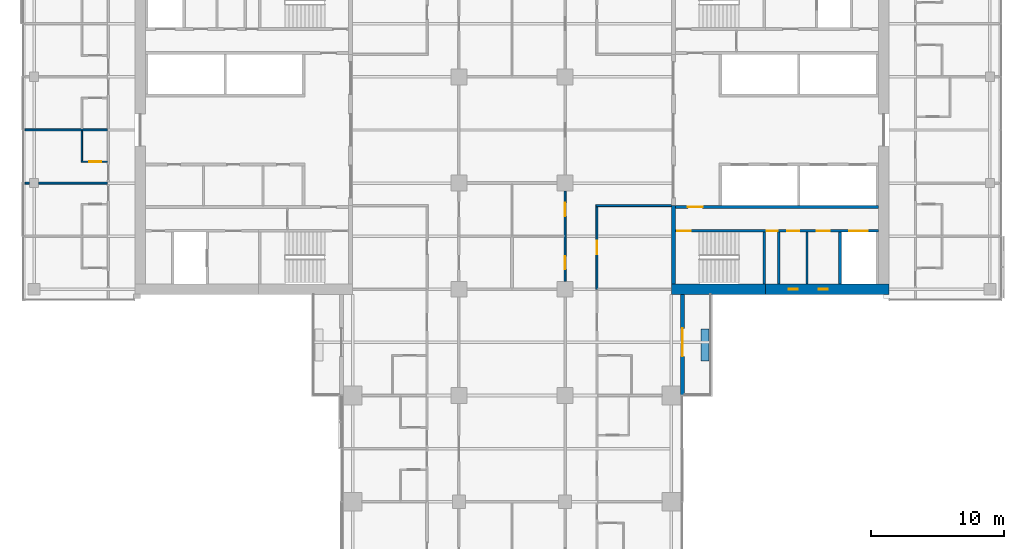
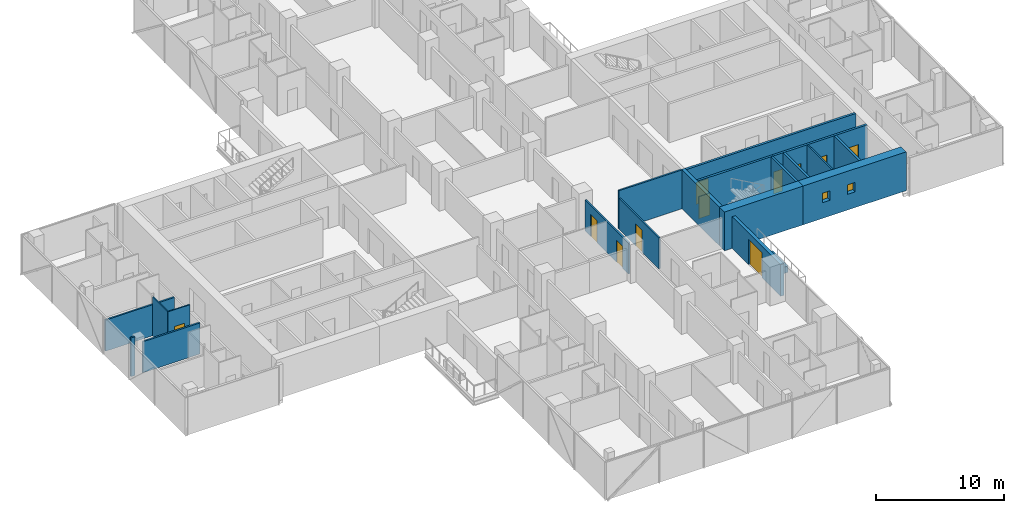
# One storey, part 17 of 27: 20 walls, 11 doors, 2 windows, 13 openings.
"""IFC4 building model written with IfcOpenShell, lengths in metres."""

import ifcopenshell
import ifcopenshell.guid

model = None  # the IFC model being written
_history = None  # IfcOwnerHistory: only IFC2X3 demands one
_inside = {}  # id of a spatial element -> (the spatial element, [elements in it])
_under = {}  # id of a project, library or spatial element -> (it, [spatial elements below it])
_declared = {}  # id of a project -> (the project, [libraries it declares])
_typed = {}  # id of a type object -> (the type object, [elements of that type])
_made_of = {}  # id of a material, layer set ... -> (it, [elements and type objects made of it])


def new_model(schema):
    """Start an empty IFC model of exactly this schema.

    Asked for "IFC4X3", IfcOpenShell would pick the latest addendum, in which some entities
    have other attributes; the version numbers below select the first issue.
    IFC2X3 requires an IfcOwnerHistory on every rooted entity: one is made here for all.
    """
    global model, _history
    if schema == "IFC4X3":
        model = ifcopenshell.file(schema_version=(4, 3, 0, 0))
    else:
        model = ifcopenshell.file(schema=schema)
    _inside.clear()
    _under.clear()
    _declared.clear()
    _typed.clear()
    _made_of.clear()
    _history = None
    if model.schema == "IFC2X3":
        org = make("IfcOrganization", Name="unknown")
        user = make(
            "IfcPersonAndOrganization",
            ThePerson=make("IfcPerson", FamilyName="unknown"),
            TheOrganization=org,
        )
        app = make(
            "IfcApplication",
            ApplicationDeveloper=org,
            Version="unknown",
            ApplicationFullName="unknown",
            ApplicationIdentifier="unknown",
        )
        _history = make(
            "IfcOwnerHistory",
            OwningUser=user,
            OwningApplication=app,
            ChangeAction="ADDED",
            CreationDate=0,
        )
    return model


def make(cls, **values):
    """One entity of the class cls with the attributes given. An attribute that is None is left unset."""
    return model.create_entity(
        cls, **{name: value for name, value in values.items() if value is not None}
    )


def rooted(cls, **values):
    """An entity with a GlobalId (a new one), such as an element, a storey or a relation."""
    return make(cls, GlobalId=ifcopenshell.guid.new(), OwnerHistory=_history, **values)


def si_unit(unit_type, name, prefix=None):
    """IfcSIUnit, for example si_unit("LENGTHUNIT", "METRE", prefix="MILLI")."""
    return make("IfcSIUnit", UnitType=unit_type, Prefix=prefix, Name=name)


def assignment(units):
    """IfcUnitAssignment: the units of a project."""
    return None if units is None else make("IfcUnitAssignment", Units=units)


def point(xyz):
    """IfcCartesianPoint."""
    return None if xyz is None else make("IfcCartesianPoint", Coordinates=xyz)


def direction(xyz):
    """IfcDirection."""
    return None if xyz is None else make("IfcDirection", DirectionRatios=xyz)


def frame(location, z_axis=None, x_axis=None):
    """IfcAxis2Placement3D, a coordinate frame: its origin and axes. An axis left out is left unset."""
    return make(
        "IfcAxis2Placement3D",
        Location=point(location),
        Axis=direction(z_axis),
        RefDirection=direction(x_axis),
    )


def frame_2d(location, x_axis=None):
    """IfcAxis2Placement2D, a coordinate frame in the plane: its origin and x axis."""
    return make(
        "IfcAxis2Placement2D", Location=point(location), RefDirection=direction(x_axis)
    )


def origin():
    """The frame at (0, 0, 0) with its axes left unset."""
    return frame((0.0, 0.0, 0.0))


def place(relative_to, where):
    """IfcLocalPlacement: puts the frame where relative to a parent placement (None: the world)."""
    return make(
        "IfcLocalPlacement", PlacementRelTo=relative_to, RelativePlacement=where
    )


def context(
    kind, dimensions, precision=None, world=None, true_north=None, identifier=None
):
    """IfcGeometricRepresentationContext, for example the 3D "Model" context."""
    return make(
        "IfcGeometricRepresentationContext",
        ContextIdentifier=identifier,
        ContextType=kind,
        CoordinateSpaceDimension=dimensions,
        Precision=precision,
        WorldCoordinateSystem=world,
        TrueNorth=true_north,
    )


def subcontext(parent, identifier, kind, view, scale=None):
    """IfcGeometricRepresentationSubContext, for example "Body" below "Model"."""
    return make(
        "IfcGeometricRepresentationSubContext",
        ContextIdentifier=identifier,
        ContextType=kind,
        ParentContext=parent,
        TargetScale=scale,
        TargetView=view,
    )


def project(units=None, contexts=None):
    """IfcProject with its units and contexts."""
    return rooted(
        "IfcProject",
        Name="project",
        RepresentationContexts=contexts,
        UnitsInContext=assignment(units),
    )


def spatial(cls, under=None, at=None, **own):
    """A site, building, storey or space (cls), placed at a placement, below another one or the project."""
    s = rooted(cls, ObjectPlacement=at, **own)
    if under is not None:
        _under.setdefault(under.id(), (under, []))[1].append(s)
    return s


def profile(cls, at=None, kind="AREA", **sizes):
    """A parametric profile (cls). Its sizes go by their IFC names, for example OverallWidth=200.0."""
    return make(cls, ProfileType=kind, Position=at, **sizes)


def rectangle(**sizes):
    """IfcRectangleProfileDef."""
    return profile("IfcRectangleProfileDef", **sizes)


def extrude(swept, where, along, depth):
    """IfcExtrudedAreaSolid: the profile swept, set in the frame where, extruded along a direction by depth."""
    return make(
        "IfcExtrudedAreaSolid",
        SweptArea=swept,
        Position=where,
        ExtrudedDirection=direction(along),
        Depth=depth,
    )


def shape(context_of_items, identifier, shape_type, items):
    """IfcShapeRepresentation: the items that make up one representation, for example the "Body"."""
    return make(
        "IfcShapeRepresentation",
        ContextOfItems=context_of_items,
        RepresentationIdentifier=identifier,
        RepresentationType=shape_type,
        Items=items,
    )


def material(Name=None, Category=None):
    """IfcMaterial."""
    return make("IfcMaterial", Name=Name, Category=Category)


def layer(
    of_material, thickness, ventilated=None, Name=None, Category=None, Priority=None
):
    """IfcMaterialLayer: one layer of a wall or slab, of a material (None: an air gap)."""
    return make(
        "IfcMaterialLayer",
        Material=of_material,
        LayerThickness=thickness,
        IsVentilated=ventilated,
        Name=Name,
        Category=Category,
        Priority=Priority,
    )


def layer_set(layers, Name=None):
    """IfcMaterialLayerSet."""
    return make("IfcMaterialLayerSet", MaterialLayers=layers, LayerSetName=Name)


def constituent(of_material, Name=None, Category=None, fraction=None):
    """IfcMaterialConstituent: one of the materials an element consists of."""
    return make(
        "IfcMaterialConstituent",
        Name=Name,
        Material=of_material,
        Fraction=fraction,
        Category=Category,
    )


def constituent_set(constituents=None, Name=None):
    """IfcMaterialConstituentSet."""
    return make(
        "IfcMaterialConstituentSet", Name=Name, MaterialConstituents=constituents
    )


def made_of(thing, what):
    """Note that an element or type object is made of a material, layer set ...; save() writes the relation."""
    if what is not None:
        _made_of.setdefault(what.id(), (what, []))[1].append(thing)
    return thing


def type_object(cls, material=None, **own):
    """A type object (cls), such as IfcWallType, which elements share."""
    return made_of(rooted(cls, **own), material)


def element(
    cls,
    number,
    at=None,
    inside=None,
    cuts=None,
    type_object=None,
    material=None,
    context=None,
    identifier="Body",
    shape_type=None,
    held_by="IfcProductDefinitionShape",
    body=None,
    shapes=None,
    **own,
):
    """One element of the class cls, such as IfcWall. Its Tag is "e" and its number.

    at: its placement. inside: the storey or other place that contains it. cuts: it is an
    opening in that element (IfcRelVoidsElement). A single representation is given by context,
    identifier, shape_type and body (its items); several are given by shapes. held_by: the class
    of the entity that holds the representations. save() writes the other relations.
    """
    e = rooted(cls, Tag="e%d" % number, ObjectPlacement=at, **own)
    if body is not None:
        shapes = [shape(context, identifier, shape_type, body)]
    if shapes is not None:
        e.Representation = make(held_by, Representations=shapes)
    if inside is not None:
        _inside.setdefault(inside.id(), (inside, []))[1].append(e)
    if cuts is not None:
        rooted(
            "IfcRelVoidsElement", RelatingBuildingElement=cuts, RelatedOpeningElement=e
        )
    if type_object is not None:
        _typed.setdefault(type_object.id(), (type_object, []))[1].append(e)
    return made_of(e, material)


def fill(opening, filler):
    """IfcRelFillsElement: the door or window that sits in an opening."""
    return rooted(
        "IfcRelFillsElement",
        RelatingOpeningElement=opening,
        RelatedBuildingElement=filler,
    )


def aggregate(whole, parts):
    """IfcRelAggregates: a whole, such as a stair, and the parts it consists of."""
    return rooted("IfcRelAggregates", RelatingObject=whole, RelatedObjects=parts)


def save(model, path):
    """Write the relations noted so far, then the file.

    IfcRelAggregates (storeys below a building ...), IfcRelContainedInSpatialStructure (elements
    in a storey), IfcRelDefinesByType, IfcRelAssociatesMaterial and IfcRelDeclares: one each for
    every whole, place, type object, material and project.
    """
    for whole, parts in _under.values():
        aggregate(whole, parts)
    for where, things in _inside.values():
        rooted(
            "IfcRelContainedInSpatialStructure",
            RelatedElements=things,
            RelatingStructure=where,
        )
    for kind, things in _typed.values():
        rooted("IfcRelDefinesByType", RelatedObjects=things, RelatingType=kind)
    for what, things in _made_of.values():
        rooted("IfcRelAssociatesMaterial", RelatedObjects=things, RelatingMaterial=what)
    for by, libraries in _declared.values():
        rooted("IfcRelDeclares", RelatingContext=by, RelatedDefinitions=libraries)
    model.write(path)


model = new_model("IFC4")

# Units and contexts
model_context = context("Model", 3, precision=1e-05, world=origin(), true_north=direction((0.0, 1.0)))
body_context = subcontext(model_context, "Body", "Model", "MODEL_VIEW")
ifc_project = project(units=[si_unit("LENGTHUNIT", "METRE"), si_unit("AREAUNIT", "SQUARE_METRE"), si_unit("VOLUMEUNIT", "CUBIC_METRE"), si_unit("PLANEANGLEUNIT", "RADIAN"), si_unit("MASSUNIT", "GRAM", prefix="KILO")], contexts=[model_context])

# Site, building, storey
site_placement = place(None, origin())
site = spatial("IfcSite", under=ifc_project, at=site_placement, CompositionType="ELEMENT")
building_placement = place(site_placement, origin())
building = spatial("IfcBuilding", under=site, at=building_placement, Name="Crosswind Convention Tower", CompositionType="ELEMENT")
storey_placement = place(building_placement, frame((0.0, 0.0, 68.300048828125)))
storey = spatial("IfcBuildingStorey", under=building, at=storey_placement, Name="L11", CompositionType="ELEMENT", Elevation=68.300048828125)

# Walls
ifc_material_1 = material(Name="Concrete blockwork", Category="masonry")
ifc_layer_1 = layer(ifc_material_1, 0.199951171875)
ifc_layer_set_1 = layer_set([ifc_layer_1], Name="Blockwork partition wall 200")
wall_type_1 = type_object("IfcWallType", Name="Blockwork partition wall 200", PredefinedType="PARTITIONING", material=ifc_layer_set_1)
wall_1_placement = place(storey_placement, frame((145.10009765625, 88.39990234375, 0.0), z_axis=(0.0, 0.0, 1.0), x_axis=(0.0, 1.0, 0.0)))
element("IfcWall", 1, at=wall_1_placement, inside=storey, type_object=wall_type_1, Name="Wall MRSE E L11", PredefinedType="PARTITIONING", context=body_context, shape_type="SweptSolid", body=[
    extrude(rectangle(XDim=3.900146484375, YDim=0.199951171875, at=frame_2d((1.9501953125, 0.0))), origin(), (0.0, 0.0, 1.0), 3.699951171875),
])
ifc_material_2 = material(Name="Plasterboard partition", Category="gypsum")
ifc_layer_2 = layer(ifc_material_2, 0.14990234375)
ifc_layer_set_2 = layer_set([ifc_layer_2], Name="CORRIDOR WALL 150")
wall_type_2 = type_object("IfcWallType", Name="CORRIDOR WALL 150", PredefinedType="PARTITIONING", material=ifc_layer_set_2)
wall_2_placement = place(storey_placement, frame((131.324951171875, 94.300048828125, 0.0), z_axis=(0.0, 0.0, 1.0), x_axis=(1.0, 0.0, 0.0)))
element("IfcWall", 2, at=wall_2_placement, inside=storey, type_object=wall_type_2, Name="Corridor Wall 26", PredefinedType="PARTITIONING", context=body_context, shape_type="SweptSolid", body=[
    extrude(rectangle(XDim=5.675048828125, YDim=0.14990234375, at=frame_2d((2.83740234375, 0.0))), origin(), (0.0, 0.0, 1.0), 3.699951171875),
])

# Wall, openings, doors
wall_3_placement = place(storey_placement, frame((129.0, 88.60009765625, 0.0), z_axis=(0.0, 0.0, 1.0), x_axis=(0.0, 1.0, 0.0)))
wall_3 = element("IfcWall", 3, at=wall_3_placement, inside=storey, type_object=wall_type_2, Name="Corridor Wall 108", PredefinedType="PARTITIONING", context=body_context, shape_type="SweptSolid", body=[
    extrude(rectangle(XDim=6.7998046875, YDim=0.14990234375, at=frame_2d((3.39990234375, 0.0))), origin(), (0.0, 0.0, 1.0), 2.959716796875),
])
opening_1_placement = place(wall_3_placement, frame((0.89990234375, 0.0, 0.0)))
opening_1 = element("IfcOpeningElement", 4, at=opening_1_placement, cuts=wall_3, Name="Opening 11.062", PredefinedType="OPENING", context=body_context, shape_type="SweptSolid", body=[
    extrude(rectangle(XDim=1.0, YDim=2.10009765625, at=frame_2d((0.5, 1.050048828125))), frame((0.0, 0.0849609375, 0.0), z_axis=(0.0, -1.0, 0.0), x_axis=(1.0, 0.0, 0.0)), (0.0, 0.0, 1.0), 0.169921875),
])
opening_2_placement = place(wall_3_placement, frame((4.89990234375, 0.0, 0.0)))
opening_2 = element("IfcOpeningElement", 5, at=opening_2_placement, cuts=wall_3, Name="Opening 11.063", PredefinedType="OPENING", context=body_context, shape_type="SweptSolid", body=[
    extrude(rectangle(XDim=1.0, YDim=2.10009765625, at=frame_2d((0.5, 1.050048828125))), frame((0.0, 0.0849609375, 0.0), z_axis=(0.0, -1.0, 0.0), x_axis=(1.0, 0.0, 0.0)), (0.0, 0.0, 1.0), 0.169921875),
])
ifc_material_3 = material(Name="Timber fire door", Category="wood")
door_type_1 = type_object("IfcDoorType", Name="SERVICE ROOM DOOR 1000X2100", OperationType="NOTDEFINED", PredefinedType="DOOR", material=ifc_material_3)
door_1_placement = place(opening_1_placement, origin())
door_1 = element("IfcDoor", 6, at=door_1_placement, inside=storey, type_object=door_type_1, Name="Door 11.062", ObjectType="D3", OperationType="SINGLE_SWING_LEFT", OverallHeight=2.10009765625, OverallWidth=1.0, PredefinedType="DOOR", context=body_context, shape_type="SweptSolid", body=[
    extrude(rectangle(XDim=1.0, YDim=2.10009765625, at=frame_2d((0.5, 1.050048828125))), frame((0.0, 0.02490234375, 0.0), z_axis=(0.0, -1.0, 0.0), x_axis=(1.0, 0.0, 0.0)), (0.0, 0.0, 1.0), 0.050048828125),
])
fill(opening_1, door_1)
door_2_placement = place(opening_2_placement, origin())
door_2 = element("IfcDoor", 7, at=door_2_placement, inside=storey, type_object=door_type_1, Name="Door 11.063", ObjectType="D3", OperationType="SINGLE_SWING_RIGHT", OverallHeight=2.10009765625, OverallWidth=1.0, PredefinedType="DOOR", context=body_context, shape_type="SweptSolid", body=[
    extrude(rectangle(XDim=1.0, YDim=2.10009765625, at=frame_2d((0.5, 1.050048828125))), frame((0.0, 0.02490234375, 0.0), z_axis=(0.0, -1.0, 0.0), x_axis=(1.0, 0.0, 0.0)), (0.0, 0.0, 1.0), 0.050048828125),
])
fill(opening_2, door_2)

# Wall, opening, door
wall_4_placement = place(storey_placement, frame((131.39990234375, 88.0, 0.0), z_axis=(0.0, 0.0, 1.0), x_axis=(0.0, 1.0, 0.0)))
wall_4 = element("IfcWall", 8, at=wall_4_placement, inside=storey, type_object=wall_type_2, Name="Corridor Wall 116", PredefinedType="PARTITIONING", context=body_context, shape_type="SweptSolid", body=[
    extrude(rectangle(XDim=6.22509765625, YDim=0.14990234375, at=frame_2d((3.112548828125, 0.0))), origin(), (0.0, 0.0, 1.0), 2.956298828125),
])
opening_3_placement = place(wall_4_placement, frame((2.64990234375, 0.0, 0.0)))
opening_3 = element("IfcOpeningElement", 9, at=opening_3_placement, cuts=wall_4, Name="Opening 11.002", PredefinedType="OPENING", context=body_context, shape_type="SweptSolid", body=[
    extrude(rectangle(XDim=1.0, YDim=2.10009765625, at=frame_2d((0.5, 1.050048828125))), frame((0.0, 0.0849609375, 0.0), z_axis=(0.0, -1.0, 0.0), x_axis=(1.0, 0.0, 0.0)), (0.0, 0.0, 1.0), 0.169921875),
])
door_3_placement = place(opening_3_placement, frame((1.0, 0.0, 0.0), z_axis=(0.0, 0.0, 1.0), x_axis=(-1.0, 0.0, 0.0)))
door_3 = element("IfcDoor", 10, at=door_3_placement, inside=storey, type_object=door_type_1, Name="Door 11.002", ObjectType="D3", OperationType="SINGLE_SWING_LEFT", OverallHeight=2.10009765625, OverallWidth=1.0, PredefinedType="DOOR", context=body_context, shape_type="SweptSolid", body=[
    extrude(rectangle(XDim=1.0, YDim=2.10009765625, at=frame_2d((0.5, 1.050048828125))), frame((0.0, 0.02490234375, 0.0), z_axis=(0.0, -1.0, 0.0), x_axis=(1.0, 0.0, 0.0)), (0.0, 0.0, 1.0), 0.050048828125),
])
fill(opening_3, door_3)

# Wall
ifc_material_4 = material(Name="Concrete C50/60", Category="concrete")
ifc_layer_3 = layer(ifc_material_4, 0.300048828125)
ifc_layer_set_3 = layer_set([ifc_layer_3], Name="Concrete C50/60")
wall_type_3 = type_object("IfcWallType", Name="Concrete inner core wall 300", PredefinedType="SHEAR", material=ifc_layer_set_3)
wall_5_placement = place(storey_placement, frame((137.14990234375, 88.39990234375, 0.0), z_axis=(0.0, 0.0, 1.0), x_axis=(0.0, 1.0, 0.0)))
element("IfcWall", 11, at=wall_5_placement, inside=storey, type_object=wall_type_3, Name="Wall EM E L11", PredefinedType="SHEAR", context=body_context, shape_type="SweptSolid", body=[
    extrude(rectangle(XDim=5.900146484375, YDim=0.300048828125, at=frame_2d((2.9501953125, 0.0))), origin(), (0.0, 0.0, 1.0), 3.699951171875),
])

# Wall, opening, door
ifc_layer_4 = layer(ifc_material_4, 0.199951171875)
ifc_layer_set_4 = layer_set([ifc_layer_4], Name="Concrete C50/60")
wall_type_4 = type_object("IfcWallType", Name="Concrete shaft and stair wall 200", PredefinedType="SHEAR", material=ifc_layer_set_4)
wall_6_placement = place(storey_placement, frame((137.300048828125, 94.199951171875, 0.0), z_axis=(0.0, 0.0, 1.0), x_axis=(1.0, 0.0, 0.0)))
wall_6 = element("IfcWall", 12, at=wall_6_placement, inside=storey, type_object=wall_type_4, Name="Wall HM E L11", PredefinedType="SHEAR", context=body_context, shape_type="SweptSolid", body=[
    extrude(rectangle(XDim=15.300048828125, YDim=0.199951171875, at=frame_2d((7.64990234375, 0.0))), origin(), (0.0, 0.0, 1.0), 3.699951171875),
])
opening_4_placement = place(wall_6_placement, frame((0.949951171875, 0.0, 0.0)))
opening_4 = element("IfcOpeningElement", 13, at=opening_4_placement, cuts=wall_6, Name="Opening D104", PredefinedType="OPENING", context=body_context, shape_type="SweptSolid", body=[
    extrude(rectangle(XDim=1.10009765625, YDim=2.10009765625, at=frame_2d((0.550048828125, 1.050048828125))), frame((0.0, 0.10986328125, 0.0), z_axis=(0.0, -1.0, 0.0), x_axis=(1.0, 0.0, 0.0)), (0.0, 0.0, 1.0), 0.219970703125),
])
ifc_material_5 = material(Name="Steel fire door", Category="steel")
door_type_2 = type_object("IfcDoorType", Name="Fire-rated single door 1100x2100", OperationType="NOTDEFINED", PredefinedType="DOOR", material=ifc_material_5)
door_4_placement = place(opening_4_placement, origin())
door_4 = element("IfcDoor", 14, at=door_4_placement, inside=storey, type_object=door_type_2, Name="Corridor door L11", ObjectType="D104", OperationType="SINGLE_SWING_LEFT", OverallHeight=2.10009765625, OverallWidth=1.10009765625, PredefinedType="DOOR", context=body_context, shape_type="SweptSolid", body=[
    extrude(rectangle(XDim=1.10009765625, YDim=2.10009765625, at=frame_2d((0.550048828125, 1.050048828125))), frame((0.0, 0.02490234375, 0.0), z_axis=(0.0, -1.0, 0.0), x_axis=(1.0, 0.0, 0.0)), (0.0, 0.0, 1.0), 0.050048828125),
])
fill(opening_4, door_4)

# Walls
for number, where, z_axis, x_axis, name in (
    (15, (144.0, 88.39990234375, 0.0), (0.0, 0.0, 1.0), (0.0, 1.0, 0.0), "Wall MSE E L11"),
    (16, (149.699951171875, 88.39990234375, 0.0), (0.0, 0.0, 1.0), (0.0, 1.0, 0.0), "Wall MFSW E L11"),
):
    element("IfcWall", number, at=place(storey_placement, frame(where, z_axis=z_axis, x_axis=x_axis)), inside=storey, type_object=wall_type_4, Name=name, PredefinedType="SHEAR", context=body_context, shape_type="SweptSolid", body=[
        extrude(rectangle(XDim=3.900146484375, YDim=0.199951171875, at=frame_2d((1.9501953125, 0.0))), origin(), (0.0, 0.0, 1.0), 3.699951171875),
    ])

# Wall, opening, door
wall_7_placement = place(storey_placement, frame((137.300048828125, 92.39990234375, 0.0), z_axis=(0.0, 0.0, 1.0), x_axis=(1.0, 0.0, 0.0)))
wall_7 = element("IfcWall", 17, at=wall_7_placement, inside=storey, type_object=wall_type_4, Name="Wall MCW E L11", PredefinedType="SHEAR", context=body_context, shape_type="SweptSolid", body=[
    extrude(rectangle(XDim=6.800048828125, YDim=0.199951171875, at=frame_2d((3.39990234375, 0.0))), origin(), (0.0, 0.0, 1.0), 3.699951171875),
])
opening_5_placement = place(wall_7_placement, frame((0.14990234375, 0.0, 0.0)))
opening_5 = element("IfcOpeningElement", 18, at=opening_5_placement, cuts=wall_7, Name="Opening D103", PredefinedType="OPENING", context=body_context, shape_type="SweptSolid", body=[
    extrude(rectangle(XDim=1.0, YDim=2.10009765625, at=frame_2d((0.5, 1.050048828125))), frame((0.0, 0.10986328125, 0.0), z_axis=(0.0, -1.0, 0.0), x_axis=(1.0, 0.0, 0.0)), (0.0, 0.0, 1.0), 0.219970703125),
])
door_type_3 = type_object("IfcDoorType", Name="Fire-rated single door 1000x2100", OperationType="NOTDEFINED", PredefinedType="DOOR", material=ifc_material_5)
door_5_placement = place(opening_5_placement, frame((1.0, 0.0, 0.0), z_axis=(0.0, 0.0, 1.0), x_axis=(-1.0, 0.0, 0.0)))
door_5 = element("IfcDoor", 19, at=door_5_placement, inside=storey, type_object=door_type_3, Name="Stair ST2 door L11", ObjectType="D103", OperationType="SINGLE_SWING_RIGHT", OverallHeight=2.10009765625, OverallWidth=1.0, PredefinedType="DOOR", context=body_context, shape_type="SweptSolid", body=[
    extrude(rectangle(XDim=1.0, YDim=2.10009765625, at=frame_2d((0.5, 1.050048828125))), frame((0.0, 0.02490234375, 0.0), z_axis=(0.0, -1.0, 0.0), x_axis=(1.0, 0.0, 0.0)), (0.0, 0.0, 1.0), 0.050048828125),
])
fill(opening_5, door_5)

# Wall, openings, doors
wall_8_placement = place(storey_placement, frame((144.10009765625, 92.39990234375, 0.0), z_axis=(0.0, 0.0, 1.0), x_axis=(1.0, 0.0, 0.0)))
wall_8 = element("IfcWall", 20, at=wall_8_placement, inside=storey, type_object=wall_type_4, Name="Wall MCX E L11", PredefinedType="SHEAR", context=body_context, shape_type="SweptSolid", body=[
    extrude(rectangle(XDim=8.5, YDim=0.199951171875, at=frame_2d((4.25, 0.0))), origin(), (0.0, 0.0, 1.0), 3.699951171875),
])
opening_6_placement = place(wall_8_placement, frame((0.10009765625, 0.0, 0.0)))
opening_6 = element("IfcOpeningElement", 21, at=opening_6_placement, cuts=wall_8, Name="Opening D105", PredefinedType="OPENING", context=body_context, shape_type="SweptSolid", body=[
    extrude(rectangle(XDim=0.800048828125, YDim=2.10009765625, at=frame_2d((0.39990234375, 1.050048828125))), frame((0.0, 0.10986328125, 0.0), z_axis=(0.0, -1.0, 0.0), x_axis=(1.0, 0.0, 0.0)), (0.0, 0.0, 1.0), 0.219970703125),
])
opening_7_placement = place(wall_8_placement, frame((1.630859375, 0.0, 0.0)))
opening_7 = element("IfcOpeningElement", 22, at=opening_7_placement, cuts=wall_8, Name="Opening D106", PredefinedType="OPENING", context=body_context, shape_type="SweptSolid", body=[
    extrude(rectangle(XDim=0.89990234375, YDim=2.10009765625, at=frame_2d((0.449951171875, 1.050048828125))), frame((0.0, 0.10986328125, 0.0), z_axis=(0.0, -1.0, 0.0), x_axis=(1.0, 0.0, 0.0)), (0.0, 0.0, 1.0), 0.219970703125),
])
opening_8_placement = place(wall_8_placement, frame((3.84326171875, 0.0, 0.0)))
opening_8 = element("IfcOpeningElement", 23, at=opening_8_placement, cuts=wall_8, Name="Opening D103", PredefinedType="OPENING", context=body_context, shape_type="SweptSolid", body=[
    extrude(rectangle(XDim=1.0, YDim=2.10009765625, at=frame_2d((0.5, 1.050048828125))), frame((0.0, 0.10986328125, 0.0), z_axis=(0.0, -1.0, 0.0), x_axis=(1.0, 0.0, 0.0)), (0.0, 0.0, 1.0), 0.219970703125),
])
opening_9_placement = place(wall_8_placement, frame((6.300048828125, 0.0, 0.0)))
opening_9 = element("IfcOpeningElement", 24, at=opening_9_placement, cuts=wall_8, Name="Opening LD2", PredefinedType="OPENING", context=body_context, shape_type="SweptSolid", body=[
    extrude(rectangle(XDim=1.39990234375, YDim=2.10009765625, at=frame_2d((0.699951171875, 1.050048828125))), frame((0.0, 0.10986328125, 0.0), z_axis=(0.0, -1.0, 0.0), x_axis=(1.0, 0.0, 0.0)), (0.0, 0.0, 1.0), 0.219970703125),
])
door_6_placement = place(opening_8_placement, frame((1.0, 0.0, 0.0), z_axis=(0.0, 0.0, 1.0), x_axis=(-1.0, 0.0, 0.0)))
door_6 = element("IfcDoor", 25, at=door_6_placement, inside=storey, type_object=door_type_3, Name="Door to accessible wc L11", ObjectType="D103", OperationType="SINGLE_SWING_LEFT", OverallHeight=2.10009765625, OverallWidth=1.0, PredefinedType="DOOR", context=body_context, shape_type="SweptSolid", body=[
    extrude(rectangle(XDim=1.0, YDim=2.10009765625, at=frame_2d((0.5, 1.050048828125))), frame((0.0, 0.02490234375, 0.0), z_axis=(0.0, -1.0, 0.0), x_axis=(1.0, 0.0, 0.0)), (0.0, 0.0, 1.0), 0.050048828125),
])
fill(opening_8, door_6)
ifc_material_6 = material(Name="Stainless steel", Category="steel")
door_type_4 = type_object("IfcDoorType", Name="Lift landing door 1400x2100", OperationType="DOUBLE_DOOR_SLIDING", PredefinedType="DOOR", material=ifc_material_6)
door_7_placement = place(opening_9_placement, origin())
door_7 = element("IfcDoor", 26, at=door_7_placement, inside=storey, type_object=door_type_4, Name="Landing door SV1 L11", ObjectType="LD2", OperationType="DOUBLE_DOOR_SLIDING", OverallHeight=2.10009765625, OverallWidth=1.39990234375, PredefinedType="DOOR", context=body_context, shape_type="SweptSolid", body=[
    extrude(rectangle(XDim=1.39990234375, YDim=2.10009765625, at=frame_2d((0.699951171875, 1.050048828125))), frame((0.0, 0.02490234375, 0.0), z_axis=(0.0, -1.0, 0.0), x_axis=(1.0, 0.0, 0.0)), (0.0, 0.0, 1.0), 0.050048828125),
])
fill(opening_9, door_7)
door_type_5 = type_object("IfcDoorType", Name="Riser access door 800x2100", OperationType="NOTDEFINED", PredefinedType="DOOR", material=ifc_material_5)
door_8_placement = place(opening_6_placement, frame((0.800048828125, 0.0, 0.0), z_axis=(0.0, 0.0, 1.0), x_axis=(-1.0, 0.0, 0.0)))
door_8 = element("IfcDoor", 27, at=door_8_placement, inside=storey, type_object=door_type_5, Name="Riser door L11", ObjectType="D105", OperationType="SINGLE_SWING_LEFT", OverallHeight=2.10009765625, OverallWidth=0.800048828125, PredefinedType="DOOR", context=body_context, shape_type="SweptSolid", body=[
    extrude(rectangle(XDim=0.800048828125, YDim=2.10009765625, at=frame_2d((0.39990234375, 1.050048828125))), frame((0.0, 0.02490234375, 0.0), z_axis=(0.0, -1.0, 0.0), x_axis=(1.0, 0.0, 0.0)), (0.0, 0.0, 1.0), 0.050048828125),
])
fill(opening_6, door_8)
ifc_material_7 = material(Name="Timber door", Category="wood")
door_type_6 = type_object("IfcDoorType", Name="Single leaf door 900x2100", OperationType="NOTDEFINED", PredefinedType="DOOR", material=ifc_material_7)
door_9_placement = place(opening_7_placement, frame((0.89990234375, 0.0, 0.0), z_axis=(0.0, 0.0, 1.0), x_axis=(-1.0, 0.0, 0.0)))
door_9 = element("IfcDoor", 28, at=door_9_placement, inside=storey, type_object=door_type_6, Name="Door to wc L11", ObjectType="D106", OperationType="SINGLE_SWING_LEFT", OverallHeight=2.10009765625, OverallWidth=0.89990234375, PredefinedType="DOOR", context=body_context, shape_type="SweptSolid", body=[
    extrude(rectangle(XDim=0.89990234375, YDim=2.10009765625, at=frame_2d((0.449951171875, 1.050048828125))), frame((0.0, 0.02490234375, 0.0), z_axis=(0.0, -1.0, 0.0), x_axis=(1.0, 0.0, 0.0)), (0.0, 0.0, 1.0), 0.050048828125),
])
fill(opening_7, door_9)

# Walls
ifc_material_8 = material(Name="Gypsum plasterboard partition", Category="gypsum")
ifc_layer_5 = layer(ifc_material_8, 0.125)
ifc_layer_set_5 = layer_set([ifc_layer_5], Name="Drywall partition wall 125")
wall_type_5 = type_object("IfcWallType", Name="Drywall partition wall 125", PredefinedType="PARTITIONING", material=ifc_layer_set_5)
wall_9_placement = place(storey_placement, frame((147.22412109375, 88.39990234375, 0.0), z_axis=(0.0, 0.0, 1.0), x_axis=(0.0, 1.0, 0.0)))
element("IfcWall", 29, at=wall_9_placement, inside=storey, type_object=wall_type_5, Name="Wall MWP1 E L11", PredefinedType="PARTITIONING", context=body_context, shape_type="SweptSolid", body=[
    extrude(rectangle(XDim=3.900146484375, YDim=0.125, at=frame_2d((1.9501953125, 0.0))), origin(), (0.0, 0.0, 1.0), 3.699951171875),
])
ifc_material_9 = material(Name="Acoustic plasterboard partition", Category="gypsum")
ifc_layer_6 = layer(ifc_material_9, 0.14990234375)
ifc_layer_set_6 = layer_set([ifc_layer_6], Name="GUEST ROOM WALL 150")
wall_type_6 = type_object("IfcWallType", Name="GUEST ROOM WALL 150", PredefinedType="PARTITIONING", material=ifc_layer_set_6)
wall_10_placement = place(storey_placement, frame((88.300048828125, 96.0, 0.0), z_axis=(0.0, 0.0, 1.0), x_axis=(1.0, 0.0, 0.0)))
element("IfcWall", 30, at=wall_10_placement, inside=storey, type_object=wall_type_6, Name="Guest Room Wall 29", PredefinedType="PARTITIONING", context=body_context, shape_type="SweptSolid", body=[
    extrude(rectangle(XDim=0.349853515625, YDim=0.14990234375, at=frame_2d((0.1748046875, 0.0))), origin(), (0.0, 0.0, 1.0), 3.699951171875),
])
wall_11_placement = place(storey_placement, frame((89.35009765625, 96.0, 0.0), z_axis=(0.0, 0.0, 1.0), x_axis=(1.0, 0.0, 0.0)))
element("IfcWall", 31, at=wall_11_placement, inside=storey, type_object=wall_type_6, Name="Guest Room Wall 30", PredefinedType="PARTITIONING", context=body_context, shape_type="SweptSolid", body=[
    extrude(rectangle(XDim=5.1748046875, YDim=0.14990234375, at=frame_2d((2.58740234375, 0.0))), origin(), (0.0, 0.0, 1.0), 2.956298828125),
])
wall_12_placement = place(storey_placement, frame((88.300048828125, 100.0, 0.0), z_axis=(0.0, 0.0, 1.0), x_axis=(1.0, 0.0, 0.0)))
element("IfcWall", 32, at=wall_12_placement, inside=storey, type_object=wall_type_6, Name="Guest Room Wall 35", PredefinedType="PARTITIONING", context=body_context, shape_type="SweptSolid", body=[
    extrude(rectangle(XDim=6.224853515625, YDim=0.14990234375, at=frame_2d((3.1123046875, 0.0))), origin(), (0.0, 0.0, 1.0), 2.962646484375),
])
ifc_material_10 = material(Name="Concrete C30/37", Category="concrete")
ifc_layer_7 = layer(ifc_material_10, 0.60009765625)
ifc_layer_set_7 = layer_set([ifc_layer_7], Name="Concrete C30/37")
wall_type_7 = type_object("IfcWallType", Name="PLANTER BOX WALL 600", PredefinedType="SOLIDWALL", material=ifc_layer_set_7)
wall_13_placement = place(storey_placement, frame((139.550048828125, 82.60009765625, 0.0), z_axis=(0.0, 0.0, 1.0), x_axis=(0.0, 1.0, 0.0)))
element("IfcWall", 33, at=wall_13_placement, inside=storey, type_object=wall_type_7, Name="PLANTER L11 S-E.1-3", PredefinedType="SOLIDWALL", context=body_context, shape_type="SweptSolid", body=[
    extrude(rectangle(XDim=2.39990234375, YDim=0.60009765625, at=frame_2d((1.199951171875, 0.0))), origin(), (0.0, 0.0, 1.0), 0.599853515625),
])

# Wall, opening, door
ifc_material_11 = material(Name="Terracotta rainscreen", Category="ceramic")
ifc_layer_8 = layer(ifc_material_11, 0.02001953125)
ifc_material_12 = material(Name="Mineral wool insulation", Category="insulation")
ifc_layer_9 = layer(ifc_material_12, 0.10009765625)
ifc_layer_10 = layer(ifc_material_1, 0.179931640625)
ifc_layer_set_8 = layer_set([ifc_layer_8, ifc_layer_9, ifc_layer_10], Name="TERRACOTTA INFILL WALL 300")
wall_type_8 = type_object("IfcWallType", Name="TERRACOTTA INFILL WALL 300", PredefinedType="SOLIDWALL", material=ifc_layer_set_8)
wall_14_placement = place(storey_placement, frame((137.85009765625, 80.032470703125, 0.0), z_axis=(0.0, 0.0, 1.0), x_axis=(0.0, 1.0, 0.0)))
wall_14 = element("IfcWall", 34, at=wall_14_placement, inside=storey, type_object=wall_type_8, Name="Notch front wall L11 S-E.1-3", PredefinedType="SOLIDWALL", context=body_context, shape_type="SweptSolid", body=[
    extrude(rectangle(XDim=7.567626953125, YDim=0.300048828125, at=frame_2d((3.78369140625, 0.0))), origin(), (0.0, 0.0, 1.0), 3.013671875),
])
opening_10_placement = place(wall_14_placement, frame((2.91748046875, 0.0, 0.0)))
opening_10 = element("IfcOpeningElement", 35, at=opening_10_placement, cuts=wall_14, Name="Opening D141", PredefinedType="OPENING", context=body_context, shape_type="SweptSolid", body=[
    extrude(rectangle(XDim=2.10009765625, YDim=2.39990234375, at=frame_2d((1.050048828125, 1.199951171875))), frame((0.0, 0.159912109375, 0.0), z_axis=(0.0, -1.0, 0.0), x_axis=(1.0, 0.0, 0.0)), (0.0, 0.0, 1.0), 0.320068359375),
])
ifc_material_13 = material(Name="Aluminium glazed door", Category="aluminium")
door_type_7 = type_object("IfcDoorType", Name="BALCONY SLIDING DOOR 2100X2400", OperationType="SLIDING_TO_LEFT", PredefinedType="DOOR", material=ifc_material_13)
door_10_placement = place(opening_10_placement, frame((2.10009765625, 0.0, 0.0), z_axis=(0.0, 0.0, 1.0), x_axis=(-1.0, 0.0, 0.0)))
door_10 = element("IfcDoor", 36, at=door_10_placement, inside=storey, type_object=door_type_7, Name="D141 balcony door L11 S-E.1-3", ObjectType="D141", OperationType="SLIDING_TO_LEFT", OverallHeight=2.39990234375, OverallWidth=2.10009765625, PredefinedType="DOOR", context=body_context, shape_type="SweptSolid", body=[
    extrude(rectangle(XDim=2.10009765625, YDim=2.39990234375, at=frame_2d((1.050048828125, 1.199951171875))), frame((0.0, 0.02490234375, 0.0), z_axis=(0.0, -1.0, 0.0), x_axis=(1.0, 0.0, 0.0)), (0.0, 0.0, 1.0), 0.050048828125),
])
fill(opening_10, door_10)

# Wall
ifc_material_14 = material(Name="Concrete C60/75", Category="concrete")
ifc_constituent_1 = constituent(ifc_material_14, Name="Structure")
ifc_constituent_2 = constituent(ifc_material_11, Name="Facing")
ifc_constituent_set = constituent_set(constituents=[ifc_constituent_1, ifc_constituent_2], Name="Concrete C60/75, Terracotta rainscreen")
wall_type_9 = type_object("IfcWallType", Name="Terracotta rainscreen on concrete core wall 800", PredefinedType="SHEAR", material=ifc_constituent_set)
wall_15_placement = place(storey_placement, frame((137.0, 88.0, 0.0), z_axis=(0.0, 0.0, 1.0), x_axis=(1.0, 0.0, 0.0)))
element("IfcWall", 37, at=wall_15_placement, inside=storey, type_object=wall_type_9, Name="Wall S1 E L11", PredefinedType="SHEAR", context=body_context, shape_type="SweptSolid", body=[
    extrude(rectangle(XDim=7.10009765625, YDim=0.800048828125, at=frame_2d((3.550048828125, 0.0))), origin(), (0.0, 0.0, 1.0), 3.699951171875),
])

# Wall, openings, windows
wall_16_placement = place(storey_placement, frame((144.10009765625, 88.0, 0.0), z_axis=(0.0, 0.0, 1.0), x_axis=(1.0, 0.0, 0.0)))
wall_16 = element("IfcWall", 38, at=wall_16_placement, inside=storey, type_object=wall_type_9, Name="Wall S2 E L11", PredefinedType="SHEAR", context=body_context, shape_type="SweptSolid", body=[
    extrude(rectangle(XDim=9.2998046875, YDim=0.800048828125, at=frame_2d((4.64990234375, 0.0))), origin(), (0.0, 0.0, 1.0), 3.699951171875),
])
opening_11_placement = place(wall_16_placement, frame((1.730712890625, 0.0, 1.5)))
opening_11 = element("IfcOpeningElement", 39, at=opening_11_placement, cuts=wall_16, Name="Opening W2", PredefinedType="OPENING", context=body_context, shape_type="SweptSolid", body=[
    extrude(rectangle(XDim=0.699951171875, YDim=0.89990234375, at=frame_2d((0.35009765625, 0.449951171875))), frame((0.0, 0.409912109375, 0.0), z_axis=(0.0, -1.0, 0.0), x_axis=(1.0, 0.0, 0.0)), (0.0, 0.0, 1.0), 0.820068359375),
])
opening_12_placement = place(wall_16_placement, frame((3.9931640625, 0.0, 1.5)))
opening_12 = element("IfcOpeningElement", 40, at=opening_12_placement, cuts=wall_16, Name="Opening W2", PredefinedType="OPENING", context=body_context, shape_type="SweptSolid", body=[
    extrude(rectangle(XDim=0.699951171875, YDim=0.89990234375, at=frame_2d((0.35009765625, 0.449951171875))), frame((0.0, 0.409912109375, 0.0), z_axis=(0.0, -1.0, 0.0), x_axis=(1.0, 0.0, 0.0)), (0.0, 0.0, 1.0), 0.820068359375),
])
ifc_material_15 = material(Name="Obscure glass in aluminium frame", Category="aluminium")
window_type = type_object("IfcWindowType", Name="WC window 700x900", PartitioningType="SINGLE_PANEL", PredefinedType="WINDOW", material=ifc_material_15)
window_1_placement = place(opening_11_placement, origin())
window_1 = element("IfcWindow", 41, at=window_1_placement, inside=storey, type_object=window_type, Name="WC window L11", ObjectType="W2", OverallHeight=0.89990234375, OverallWidth=0.699951171875, PartitioningType="SINGLE_PANEL", PredefinedType="WINDOW", context=body_context, shape_type="SweptSolid", body=[
    extrude(rectangle(XDim=0.699951171875, YDim=0.89990234375, at=frame_2d((0.35009765625, 0.449951171875))), frame((0.0, 0.030029296875, 0.0), z_axis=(0.0, -1.0, 0.0), x_axis=(1.0, 0.0, 0.0)), (0.0, 0.0, 1.0), 0.06005859375),
])
fill(opening_11, window_1)
window_2_placement = place(opening_12_placement, origin())
window_2 = element("IfcWindow", 42, at=window_2_placement, inside=storey, type_object=window_type, Name="WC window L11", ObjectType="W2", OverallHeight=0.89990234375, OverallWidth=0.699951171875, PartitioningType="SINGLE_PANEL", PredefinedType="WINDOW", context=body_context, shape_type="SweptSolid", body=[
    extrude(rectangle(XDim=0.699951171875, YDim=0.89990234375, at=frame_2d((0.35009765625, 0.449951171875))), frame((0.0, 0.030029296875, 0.0), z_axis=(0.0, -1.0, 0.0), x_axis=(1.0, 0.0, 0.0)), (0.0, 0.0, 1.0), 0.06005859375),
])
fill(opening_12, window_2)

# Wall, opening, door
ifc_material_16 = material(Name="Water-resistant plasterboard partition", Category="gypsum")
ifc_layer_11 = layer(ifc_material_16, 0.10009765625)
ifc_layer_set_9 = layer_set([ifc_layer_11], Name="WET ROOM PARTITION 100")
wall_type_10 = type_object("IfcWallType", Name="WET ROOM PARTITION 100", PredefinedType="PLUMBINGWALL", material=ifc_layer_set_9)
wall_17_placement = place(storey_placement, frame((92.550048828125, 97.60009765625, 0.0), z_axis=(0.0, 0.0, 1.0), x_axis=(1.0, 0.0, 0.0)))
wall_17 = element("IfcWall", 43, at=wall_17_placement, inside=storey, type_object=wall_type_10, Name="Wet Room Partition 34", PredefinedType="PLUMBINGWALL", context=body_context, shape_type="SweptSolid", body=[
    extrude(rectangle(XDim=1.974853515625, YDim=0.10009765625, at=frame_2d((0.9873046875, 0.0))), origin(), (0.0, 0.0, 1.0), 3.699951171875),
])
opening_13_placement = place(wall_17_placement, frame((0.60009765625, 0.0, 0.0)))
opening_13 = element("IfcOpeningElement", 44, at=opening_13_placement, cuts=wall_17, Name="Opening 11.050", PredefinedType="OPENING", context=body_context, shape_type="SweptSolid", body=[
    extrude(rectangle(XDim=0.89990234375, YDim=2.10009765625, at=frame_2d((0.449951171875, 1.050048828125))), frame((0.0, 0.06005859375, 0.0), z_axis=(0.0, -1.0, 0.0), x_axis=(1.0, 0.0, 0.0)), (0.0, 0.0, 1.0), 0.1201171875),
])
door_type_8 = type_object("IfcDoorType", Name="EN-SUITE DOOR 900X2100", OperationType="NOTDEFINED", PredefinedType="DOOR", material=ifc_material_7)
door_11_placement = place(opening_13_placement, origin())
door_11 = element("IfcDoor", 45, at=door_11_placement, inside=storey, type_object=door_type_8, Name="Door 11.050", ObjectType="D2", OperationType="SINGLE_SWING_RIGHT", OverallHeight=2.10009765625, OverallWidth=0.89990234375, PredefinedType="DOOR", context=body_context, shape_type="SweptSolid", body=[
    extrude(rectangle(XDim=0.89990234375, YDim=2.10009765625, at=frame_2d((0.449951171875, 1.050048828125))), frame((0.0, 0.02490234375, 0.0), z_axis=(0.0, -1.0, 0.0), x_axis=(1.0, 0.0, 0.0)), (0.0, 0.0, 1.0), 0.050048828125),
])
fill(opening_13, door_11)

# Wall
wall_18_placement = place(storey_placement, frame((92.60009765625, 97.64990234375, 0.0), z_axis=(0.0, 0.0, 1.0), x_axis=(0.0, 1.0, 0.0)))
element("IfcWall", 46, at=wall_18_placement, inside=storey, type_object=wall_type_10, Name="Wet Room Partition 70", PredefinedType="PLUMBINGWALL", context=body_context, shape_type="SweptSolid", body=[
    extrude(rectangle(XDim=2.275146484375, YDim=0.10009765625, at=frame_2d((1.1376953125, 0.0))), origin(), (0.0, 0.0, 1.0), 3.699951171875),
])

save(model, "model.ifc")
